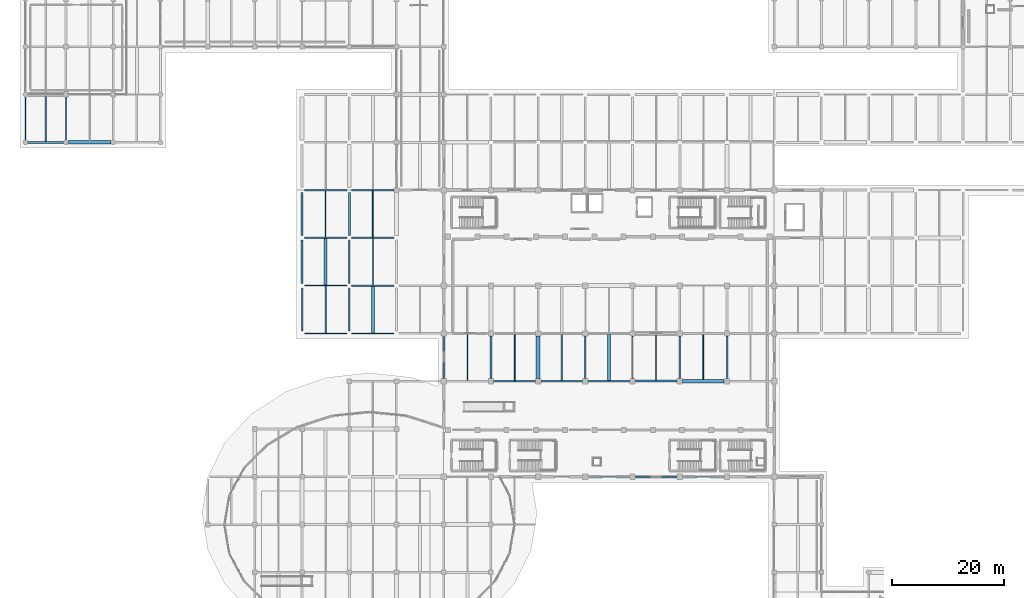
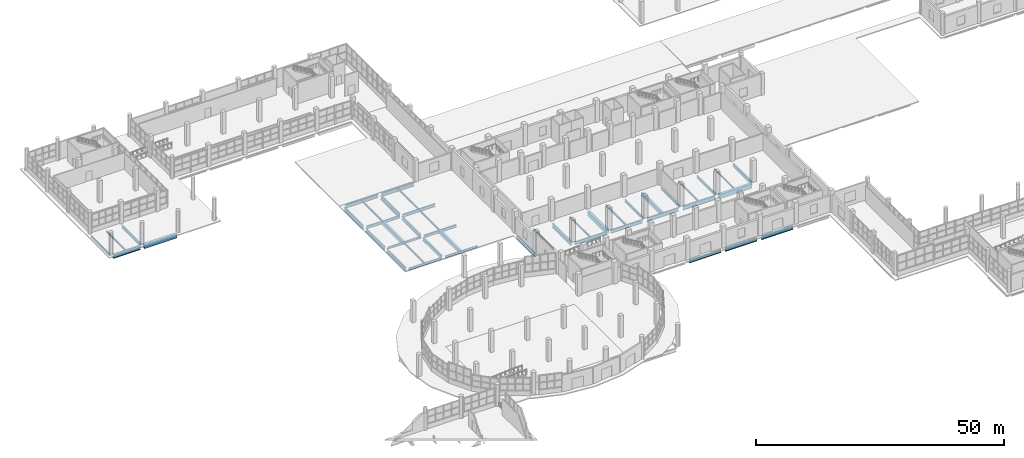
# One storey, part 18 of 107: 46 beams.
"""IFC4 building model written with IfcOpenShell, lengths in metres."""

from ifc_helpers import new_model, si_unit, direction, frame, origin, origin_2d, place, context, subcontext, project, spatial, rectangle, i_section, extrude, material, material_profile, profile_set, type_object, element, save


model = new_model("IFC4")

# Units and contexts
model_context = context("Model", 3, precision=1e-05, world=origin(), true_north=direction((0.0, 1.0)))
body_context = subcontext(model_context, "Body", "Model", "MODEL_VIEW")
ifc_project = project(units=[si_unit("LENGTHUNIT", "METRE"), si_unit("AREAUNIT", "SQUARE_METRE"), si_unit("VOLUMEUNIT", "CUBIC_METRE"), si_unit("PLANEANGLEUNIT", "RADIAN"), si_unit("MASSUNIT", "GRAM", prefix="KILO")], contexts=[model_context])

# Site, building, storey
site_placement = place(None, origin())
site = spatial("IfcSite", under=ifc_project, at=site_placement, CompositionType="ELEMENT")
building_placement = place(site_placement, origin())
building = spatial("IfcBuilding", under=site, at=building_placement, Name="Solvento Point Concert Hall", CompositionType="ELEMENT")
storey_placement = place(building_placement, origin())
storey = spatial("IfcBuildingStorey", under=building, at=storey_placement, Name="L00", CompositionType="ELEMENT", Elevation=0.0)

# Beams
ifc_material_1 = material(Name="Concrete C35/45", Category="concrete")
ifc_material_profile_1 = material_profile(ifc_material_1, rectangle(XDim=0.52001953125, YDim=0.840087890625, at=origin_2d()), Name="RC-BM-520X840")
ifc_profile_set_1 = profile_set([ifc_material_profile_1], Name="Concrete C35/45")
beam_type_1 = type_object("IfcBeamType", Name="Beam_RC_520x840", PredefinedType="BEAM", material=ifc_profile_set_1)
for number, where, z_axis, x_axis, name in (
    (1, (53.39990234375, 76.592041015625, -0.6640625), (0.0, 1.0, 0.0), (-1.0, 0.0, 0.0), "Secondary floor joist B-54 L00"),
    (2, (61.800048828125, 68.092041015625, -0.6640625), (0.0, 1.0, 0.0), (-1.0, 0.0, 0.0), "Secondary floor joist B-54 L00"),
):
    element("IfcBeam", number, at=place(storey_placement, frame(where, z_axis=z_axis, x_axis=x_axis)), inside=storey, type_object=beam_type_1, Name=name, PredefinedType="BEAM", context=body_context, shape_type="SweptSolid", body=[
        extrude(rectangle(XDim=0.52001953125, YDim=0.840087890625, at=origin_2d()), origin(), (0.0, 0.0, 1.0), 8.294921875),
    ])
beam_1_placement = place(storey_placement, frame((103.800048828125, 59.638916015625, -0.85400390625), z_axis=(0.0, 1.0, 0.0), x_axis=(-1.0, 0.0, 0.0)))
element("IfcBeam", 3, at=beam_1_placement, inside=storey, type_object=beam_type_1, Name="Secondary floor joist B-54 L00", PredefinedType="BEAM", context=body_context, shape_type="SweptSolid", body=[
    extrude(rectangle(XDim=0.52001953125, YDim=0.840087890625, at=origin_2d()), origin(), (0.0, 0.0, 1.0), 8.195556640625),
])
ifc_material_2 = material(Name="Structural Steel ASTM A992 Grade 50", Category="steel")
ifc_material_profile_2 = material_profile(ifc_material_2, i_section(OverallWidth=0.20947265625, OverallDepth=0.532958984375, WebThickness=0.01025390625, FlangeThickness=0.015625, at=origin_2d()), Name="W21X62")
ifc_profile_set_2 = profile_set([ifc_material_profile_2], Name="Structural Steel ASTM A992 Grade 50")
beam_type_2 = type_object("IfcBeamType", Name="Beam_W21X62", PredefinedType="BEAM", material=ifc_profile_set_2)
beam_2_placement = place(storey_placement, frame((53.39990234375, 68.09912109375, -0.510498046875), z_axis=(0.0, 1.0, 0.0), x_axis=(-1.0, 0.0, 0.0)))
element("IfcBeam", 4, at=beam_2_placement, inside=storey, type_object=beam_type_2, Name="Secondary floor joist B-25 L00", PredefinedType="BEAM", context=body_context, shape_type="SweptSolid", body=[
    extrude(i_section(OverallWidth=0.20947265625, OverallDepth=0.532958984375, WebThickness=0.01025390625, FlangeThickness=0.015625, at=origin_2d()), origin(), (0.0, 0.0, 1.0), 8.308837890625),
])
beam_3_placement = place(storey_placement, frame((95.39990234375, 59.631103515625, -0.700439453125), z_axis=(0.0, 1.0, 0.0), x_axis=(-1.0, 0.0, 0.0)))
element("IfcBeam", 5, at=beam_3_placement, inside=storey, type_object=beam_type_2, Name="Secondary floor joist B-25 L00", PredefinedType="BEAM", context=body_context, shape_type="SweptSolid", body=[
    extrude(i_section(OverallWidth=0.20947265625, OverallDepth=0.532958984375, WebThickness=0.01025390625, FlangeThickness=0.015625, at=origin_2d()), origin(), (0.0, 0.0, 1.0), 8.22998046875),
])
ifc_material_3 = material(Name="Structural Steel ASTM A992 Grade 50", Category="steel")
ifc_material_profile_3 = material_profile(ifc_material_3, i_section(OverallWidth=0.214111328125, OverallDepth=0.549072265625, WebThickness=0.0146484375, FlangeThickness=0.023681640625, at=origin_2d()), Name="W21X93")
ifc_profile_set_3 = profile_set([ifc_material_profile_3], Name="Structural Steel ASTM A992 Grade 50")
beam_type_3 = type_object("IfcBeamType", Name="Beam_W21X93", PredefinedType="BEAM", material=ifc_profile_set_3)
for number, where, z_axis, x_axis, name in (
    (6, (58.02392578125, 68.0, -0.5185546875), (1.0, 0.0, 0.0), (0.0, 1.0, 0.0), "Primary girder B-48 L00"),
    (7, (49.6240234375, 76.5, -0.5185546875), (1.0, 0.0, 0.0), (0.0, 1.0, 0.0), "Primary girder B-48 L00"),
):
    element("IfcBeam", number, at=place(storey_placement, frame(where, z_axis=z_axis, x_axis=x_axis)), inside=storey, type_object=beam_type_3, Name=name, PredefinedType="BEAM", context=body_context, shape_type="SweptSolid", body=[
        extrude(i_section(OverallWidth=0.214111328125, OverallDepth=0.549072265625, WebThickness=0.0146484375, FlangeThickness=0.023681640625, at=origin_2d()), origin(), (0.0, 0.0, 1.0), 7.552001953125),
    ])
beam_4_placement = place(storey_placement, frame((0.0, 102.424072265625, -0.5185546875), z_axis=(0.0, 1.0, 0.0), x_axis=(-1.0, 0.0, 0.0)))
element("IfcBeam", 8, at=beam_4_placement, inside=storey, type_object=beam_type_3, Name="Primary girder B-48 L00", PredefinedType="BEAM", context=body_context, shape_type="SweptSolid", body=[
    extrude(i_section(OverallWidth=0.214111328125, OverallDepth=0.549072265625, WebThickness=0.0146484375, FlangeThickness=0.023681640625, at=origin_2d()), origin(), (0.0, 0.0, 1.0), 7.65185546875),
])
beam_5_placement = place(storey_placement, frame((108.0, 59.993896484375, -0.70849609375), z_axis=(0.0, 1.0, 0.0), x_axis=(-1.0, 0.0, 0.0)))
element("IfcBeam", 9, at=beam_5_placement, inside=storey, type_object=beam_type_3, Name="Primary girder B-48 L00", PredefinedType="BEAM", context=body_context, shape_type="SweptSolid", body=[
    extrude(i_section(OverallWidth=0.214111328125, OverallDepth=0.549072265625, WebThickness=0.0146484375, FlangeThickness=0.023681640625, at=origin_2d()), origin(), (0.0, 0.0, 1.0), 7.51220703125),
])
ifc_material_4 = material(Name="Structural Steel ASTM A992 Grade 50", Category="steel")
ifc_material_profile_4 = material_profile(ifc_material_4, i_section(OverallWidth=0.228515625, OverallDepth=0.60791015625, WebThickness=0.01123046875, FlangeThickness=0.017333984375, at=origin_2d()), Name="W24X76")
ifc_profile_set_4 = profile_set([ifc_material_profile_4], Name="Structural Steel ASTM A992 Grade 50")
beam_type_4 = type_object("IfcBeamType", Name="Beam_W24X76", PredefinedType="BEAM", material=ifc_profile_set_4)
beam_6_placement = place(storey_placement, frame((49.6240234375, 68.0, -0.548095703125), z_axis=(1.0, 0.0, 0.0), x_axis=(0.0, 1.0, 0.0)))
element("IfcBeam", 10, at=beam_6_placement, inside=storey, type_object=beam_type_4, Name="Primary girder B-42 L00", PredefinedType="BEAM", context=body_context, shape_type="SweptSolid", body=[
    extrude(i_section(OverallWidth=0.228515625, OverallDepth=0.60791015625, WebThickness=0.01123046875, FlangeThickness=0.017333984375, at=origin_2d()), origin(), (0.0, 0.0, 1.0), 7.552001953125),
])
beam_7_placement = place(storey_placement, frame((99.60009765625, 59.993896484375, -0.738037109375), z_axis=(0.0, 1.0, 0.0), x_axis=(-1.0, 0.0, 0.0)))
element("IfcBeam", 11, at=beam_7_placement, inside=storey, type_object=beam_type_4, Name="Primary girder B-42 L00", PredefinedType="BEAM", context=body_context, shape_type="SweptSolid", body=[
    extrude(i_section(OverallWidth=0.228515625, OverallDepth=0.60791015625, WebThickness=0.01123046875, FlangeThickness=0.017333984375, at=origin_2d()), origin(), (0.0, 0.0, 1.0), 7.51220703125),
])
ifc_material_5 = material(Name="Concrete C35/45", Category="concrete")
ifc_material_profile_5 = material_profile(ifc_material_5, rectangle(XDim=0.64990234375, YDim=1.0, at=origin_2d()), Name="RC-BM-650X1000")
ifc_profile_set_5 = profile_set([ifc_material_profile_5], Name="Concrete C35/45")
beam_type_5 = type_object("IfcBeamType", Name="Girder_RC_650x1000", PredefinedType="USERDEFINED", material=ifc_profile_set_5)
beam_8_placement = place(storey_placement, frame((7.6240234375, 102.0, -0.743896484375), z_axis=(1.0, 0.0, 0.0), x_axis=(0.0, 1.0, 0.0)))
element("IfcBeam", 12, at=beam_8_placement, inside=storey, type_object=beam_type_5, Name="Primary girder B-67 L00", ObjectType="GIRDER", PredefinedType="USERDEFINED", context=body_context, shape_type="SweptSolid", body=[
    extrude(rectangle(XDim=0.64990234375, YDim=1.0, at=origin_2d()), origin(), (0.0, 0.0, 1.0), 7.552001953125),
])
ifc_material_6 = material(Name="Concrete C35/45", Category="concrete")
ifc_material_profile_6 = material_profile(ifc_material_6, rectangle(XDim=0.679931640625, YDim=1.050048828125, at=origin_2d()), Name="RC-BM-680X1050")
ifc_profile_set_6 = profile_set([ifc_material_profile_6], Name="Concrete C35/45")
beam_type_6 = type_object("IfcBeamType", Name="Girder_RC_680x1050", PredefinedType="USERDEFINED", material=ifc_profile_set_6)
beam_9_placement = place(storey_placement, frame((116.89404296875, 59.5, -0.958984375), z_axis=(1.0, 0.0, 0.0), x_axis=(0.0, 1.0, 0.0)))
element("IfcBeam", 13, at=beam_9_placement, inside=storey, type_object=beam_type_6, Name="Primary girder B-91 L00", ObjectType="GIRDER", PredefinedType="USERDEFINED", context=body_context, shape_type="SweptSolid", body=[
    extrude(rectangle(XDim=0.679931640625, YDim=1.050048828125, at=origin_2d()), origin(), (0.0, 0.0, 1.0), 7.411865234375),
])
beam_10_placement = place(storey_placement, frame((91.199951171875, 59.993896484375, -0.958984375), z_axis=(0.0, 1.0, 0.0), x_axis=(-1.0, 0.0, 0.0)))
element("IfcBeam", 14, at=beam_10_placement, inside=storey, type_object=beam_type_6, Name="Primary girder B-91 L00", ObjectType="GIRDER", PredefinedType="USERDEFINED", context=body_context, shape_type="SweptSolid", body=[
    extrude(rectangle(XDim=0.679931640625, YDim=1.050048828125, at=origin_2d()), origin(), (0.0, 0.0, 1.0), 7.51220703125),
])
ifc_material_7 = material(Name="Structural Steel ASTM A992 Grade 50", Category="steel")
ifc_material_profile_7 = material_profile(ifc_material_7, i_section(OverallWidth=0.256103515625, OverallDepth=0.693115234375, WebThickness=0.014404296875, FlangeThickness=0.023681640625, at=origin_2d()), Name="W27X114")
ifc_profile_set_7 = profile_set([ifc_material_profile_7], Name="Structural Steel ASTM A992 Grade 50")
beam_type_7 = type_object("IfcBeamType", Name="Girder_W27X114", PredefinedType="USERDEFINED", material=ifc_profile_set_7)
for number, where, z_axis, x_axis, name in (
    (15, (58.02392578125, 76.5, -0.590576171875), (1.0, 0.0, 0.0), (0.0, 1.0, 0.0), "Primary girder B-23 L00"),
    (16, (49.6240234375, 85.0, -0.590576171875), (1.0, 0.0, 0.0), (0.0, 1.0, 0.0), "Primary girder B-23 L00"),
):
    element("IfcBeam", number, at=place(storey_placement, frame(where, z_axis=z_axis, x_axis=x_axis)), inside=storey, type_object=beam_type_7, Name=name, ObjectType="GIRDER", PredefinedType="USERDEFINED", context=body_context, shape_type="SweptSolid", body=[
        extrude(i_section(OverallWidth=0.256103515625, OverallDepth=0.693115234375, WebThickness=0.014404296875, FlangeThickness=0.023681640625, at=origin_2d()), origin(), (0.0, 0.0, 1.0), 7.552001953125),
    ])
beam_11_placement = place(storey_placement, frame((7.199951171875, 102.424072265625, -0.590576171875), z_axis=(0.0, 1.0, 0.0), x_axis=(-1.0, 0.0, 0.0)))
element("IfcBeam", 17, at=beam_11_placement, inside=storey, type_object=beam_type_7, Name="Primary girder B-23 L00", ObjectType="GIRDER", PredefinedType="USERDEFINED", context=body_context, shape_type="SweptSolid", body=[
    extrude(i_section(OverallWidth=0.256103515625, OverallDepth=0.693115234375, WebThickness=0.014404296875, FlangeThickness=0.023681640625, at=origin_2d()), origin(), (0.0, 0.0, 1.0), 7.65185546875),
])
beam_12_placement = place(storey_placement, frame((116.39990234375, 59.993896484375, -0.780517578125), z_axis=(0.0, 1.0, 0.0), x_axis=(-1.0, 0.0, 0.0)))
element("IfcBeam", 18, at=beam_12_placement, inside=storey, type_object=beam_type_7, Name="Primary girder B-23 L00", ObjectType="GIRDER", PredefinedType="USERDEFINED", context=body_context, shape_type="SweptSolid", body=[
    extrude(i_section(OverallWidth=0.256103515625, OverallDepth=0.693115234375, WebThickness=0.014404296875, FlangeThickness=0.023681640625, at=origin_2d()), origin(), (0.0, 0.0, 1.0), 7.51220703125),
])
ifc_material_8 = material(Name="Structural Steel ASTM A992 Grade 50", Category="steel")
ifc_material_profile_8 = material_profile(ifc_material_8, i_section(OverallWidth=0.26806640625, OverallDepth=0.77001953125, WebThickness=0.015625, FlangeThickness=0.025390625, at=origin_2d()), Name="W30X132")
ifc_profile_set_8 = profile_set([ifc_material_profile_8], Name="Structural Steel ASTM A992 Grade 50")
beam_type_8 = type_object("IfcBeamType", Name="Girder_W30X132", PredefinedType="USERDEFINED", material=ifc_profile_set_8)
beam_13_placement = place(storey_placement, frame((100.118896484375, 42.5, -0.819091796875), z_axis=(1.0, 0.0, 0.0), x_axis=(0.0, 1.0, 0.0)))
element("IfcBeam", 19, at=beam_13_placement, inside=storey, type_object=beam_type_8, Name="Primary girder B-68 L00", ObjectType="GIRDER", PredefinedType="USERDEFINED", context=body_context, shape_type="SweptSolid", body=[
    extrude(i_section(OverallWidth=0.26806640625, OverallDepth=0.77001953125, WebThickness=0.015625, FlangeThickness=0.025390625, at=origin_2d()), origin(), (0.0, 0.0, 1.0), 7.362060546875),
])
beam_14_placement = place(storey_placement, frame((83.2939453125, 59.5, -0.819091796875), z_axis=(1.0, 0.0, 0.0), x_axis=(0.0, 1.0, 0.0)))
element("IfcBeam", 20, at=beam_14_placement, inside=storey, type_object=beam_type_8, Name="Primary girder B-68 L00", ObjectType="GIRDER", PredefinedType="USERDEFINED", context=body_context, shape_type="SweptSolid", body=[
    extrude(i_section(OverallWidth=0.26806640625, OverallDepth=0.77001953125, WebThickness=0.015625, FlangeThickness=0.025390625, at=origin_2d()), origin(), (0.0, 0.0, 1.0), 7.412109375),
])
for number, where, z_axis, x_axis, name in (
    (21, (58.02392578125, 85.0, -0.62890625), (1.0, 0.0, 0.0), (0.0, 1.0, 0.0), "Primary girder B-68 L00"),
    (22, (49.6240234375, 93.5, -0.62890625), (1.0, 0.0, 0.0), (0.0, 1.0, 0.0), "Primary girder B-68 L00"),
):
    element("IfcBeam", number, at=place(storey_placement, frame(where, z_axis=z_axis, x_axis=x_axis)), inside=storey, type_object=beam_type_8, Name=name, ObjectType="GIRDER", PredefinedType="USERDEFINED", context=body_context, shape_type="SweptSolid", body=[
        extrude(i_section(OverallWidth=0.26806640625, OverallDepth=0.77001953125, WebThickness=0.015625, FlangeThickness=0.025390625, at=origin_2d()), origin(), (0.0, 0.0, 1.0), 7.552001953125),
    ])
beam_15_placement = place(storey_placement, frame((49.199951171875, 68.424072265625, -0.62890625), z_axis=(0.0, 1.0, 0.0), x_axis=(-1.0, 0.0, 0.0)))
element("IfcBeam", 23, at=beam_15_placement, inside=storey, type_object=beam_type_8, Name="Primary girder B-68 L00", ObjectType="GIRDER", PredefinedType="USERDEFINED", context=body_context, shape_type="SweptSolid", body=[
    extrude(i_section(OverallWidth=0.26806640625, OverallDepth=0.77001953125, WebThickness=0.015625, FlangeThickness=0.025390625, at=origin_2d()), origin(), (0.0, 0.0, 1.0), 7.65185546875),
])
beam_16_placement = place(storey_placement, frame((124.800048828125, 59.993896484375, -0.819091796875), z_axis=(0.0, 1.0, 0.0), x_axis=(-1.0, 0.0, 0.0)))
element("IfcBeam", 24, at=beam_16_placement, inside=storey, type_object=beam_type_8, Name="Primary girder B-68 L00", ObjectType="GIRDER", PredefinedType="USERDEFINED", context=body_context, shape_type="SweptSolid", body=[
    extrude(i_section(OverallWidth=0.26806640625, OverallDepth=0.77001953125, WebThickness=0.015625, FlangeThickness=0.025390625, at=origin_2d()), origin(), (0.0, 0.0, 1.0), 7.51220703125),
])
ifc_material_9 = material(Name="Structural Steel ASTM A992 Grade 50", Category="steel")
ifc_material_profile_9 = material_profile(ifc_material_9, i_section(OverallWidth=0.2919921875, OverallDepth=0.85888671875, WebThickness=0.01708984375, FlangeThickness=0.031005859375, at=origin_2d()), Name="W33X169")
ifc_profile_set_9 = profile_set([ifc_material_profile_9], Name="Structural Steel ASTM A992 Grade 50")
beam_type_9 = type_object("IfcBeamType", Name="Girder_W33X169", PredefinedType="USERDEFINED", material=ifc_profile_set_9)
beam_17_placement = place(storey_placement, frame((108.51904296875, 42.5, -0.863525390625), z_axis=(1.0, 0.0, 0.0), x_axis=(0.0, 1.0, 0.0)))
element("IfcBeam", 25, at=beam_17_placement, inside=storey, type_object=beam_type_9, Name="Primary girder B-33 L00", ObjectType="GIRDER", PredefinedType="USERDEFINED", context=body_context, shape_type="SweptSolid", body=[
    extrude(i_section(OverallWidth=0.2919921875, OverallDepth=0.85888671875, WebThickness=0.01708984375, FlangeThickness=0.031005859375, at=origin_2d()), origin(), (0.0, 0.0, 1.0), 7.362060546875),
])
beam_18_placement = place(storey_placement, frame((91.694091796875, 59.5, -0.863525390625), z_axis=(1.0, 0.0, 0.0), x_axis=(0.0, 1.0, 0.0)))
element("IfcBeam", 26, at=beam_18_placement, inside=storey, type_object=beam_type_9, Name="Primary girder B-33 L00", ObjectType="GIRDER", PredefinedType="USERDEFINED", context=body_context, shape_type="SweptSolid", body=[
    extrude(i_section(OverallWidth=0.2919921875, OverallDepth=0.85888671875, WebThickness=0.01708984375, FlangeThickness=0.031005859375, at=origin_2d()), origin(), (0.0, 0.0, 1.0), 7.411865234375),
])
beam_19_placement = place(storey_placement, frame((58.02392578125, 93.5, -0.673583984375), z_axis=(1.0, 0.0, 0.0), x_axis=(0.0, 1.0, 0.0)))
element("IfcBeam", 27, at=beam_19_placement, inside=storey, type_object=beam_type_9, Name="Primary girder B-33 L00", ObjectType="GIRDER", PredefinedType="USERDEFINED", context=body_context, shape_type="SweptSolid", body=[
    extrude(i_section(OverallWidth=0.2919921875, OverallDepth=0.85888671875, WebThickness=0.01708984375, FlangeThickness=0.031005859375, at=origin_2d()), origin(), (0.0, 0.0, 1.0), 7.552001953125),
])
for number, where, z_axis, x_axis, name in (
    (28, (49.199951171875, 76.924072265625, -0.673583984375), (0.0, 1.0, 0.0), (-1.0, 0.0, 0.0), "Primary girder B-33 L00"),
    (29, (57.60009765625, 68.424072265625, -0.673583984375), (0.0, 1.0, 0.0), (-1.0, 0.0, 0.0), "Primary girder B-33 L00"),
):
    element("IfcBeam", number, at=place(storey_placement, frame(where, z_axis=z_axis, x_axis=x_axis)), inside=storey, type_object=beam_type_9, Name=name, ObjectType="GIRDER", PredefinedType="USERDEFINED", context=body_context, shape_type="SweptSolid", body=[
        extrude(i_section(OverallWidth=0.2919921875, OverallDepth=0.85888671875, WebThickness=0.01708984375, FlangeThickness=0.031005859375, at=origin_2d()), origin(), (0.0, 0.0, 1.0), 7.65185546875),
    ])
ifc_material_10 = material(Name="Structural Steel ASTM A992 Grade 50", Category="steel")
ifc_material_profile_10 = material_profile(ifc_material_10, i_section(OverallWidth=0.3076171875, OverallDepth=0.927001953125, WebThickness=0.019287109375, FlangeThickness=0.031982421875, at=origin_2d()), Name="W36X194")
ifc_profile_set_10 = profile_set([ifc_material_profile_10], Name="Structural Steel ASTM A992 Grade 50")
beam_type_10 = type_object("IfcBeamType", Name="Girder_W36X194", PredefinedType="USERDEFINED", material=ifc_profile_set_10)
beam_20_placement = place(storey_placement, frame((116.9189453125, 42.5, -0.8974609375), z_axis=(1.0, 0.0, 0.0), x_axis=(0.0, 1.0, 0.0)))
element("IfcBeam", 30, at=beam_20_placement, inside=storey, type_object=beam_type_10, Name="Primary girder B-61 L00", ObjectType="GIRDER", PredefinedType="USERDEFINED", context=body_context, shape_type="SweptSolid", body=[
    extrude(i_section(OverallWidth=0.3076171875, OverallDepth=0.927001953125, WebThickness=0.019287109375, FlangeThickness=0.031982421875, at=origin_2d()), origin(), (0.0, 0.0, 1.0), 7.362060546875),
])
beam_21_placement = place(storey_placement, frame((100.093994140625, 59.5, -0.8974609375), z_axis=(1.0, 0.0, 0.0), x_axis=(0.0, 1.0, 0.0)))
element("IfcBeam", 31, at=beam_21_placement, inside=storey, type_object=beam_type_10, Name="Primary girder B-61 L00", ObjectType="GIRDER", PredefinedType="USERDEFINED", context=body_context, shape_type="SweptSolid", body=[
    extrude(i_section(OverallWidth=0.3076171875, OverallDepth=0.927001953125, WebThickness=0.019287109375, FlangeThickness=0.031982421875, at=origin_2d()), origin(), (0.0, 0.0, 1.0), 7.412109375),
])
for number, where, z_axis, x_axis, name in (
    (32, (49.199951171875, 85.424072265625, -0.70751953125), (0.0, 1.0, 0.0), (-1.0, 0.0, 0.0), "Primary girder B-61 L00"),
    (33, (57.60009765625, 76.924072265625, -0.70751953125), (0.0, 1.0, 0.0), (-1.0, 0.0, 0.0), "Primary girder B-61 L00"),
):
    element("IfcBeam", number, at=place(storey_placement, frame(where, z_axis=z_axis, x_axis=x_axis)), inside=storey, type_object=beam_type_10, Name=name, ObjectType="GIRDER", PredefinedType="USERDEFINED", context=body_context, shape_type="SweptSolid", body=[
        extrude(i_section(OverallWidth=0.3076171875, OverallDepth=0.927001953125, WebThickness=0.019287109375, FlangeThickness=0.031982421875, at=origin_2d()), origin(), (0.0, 0.0, 1.0), 7.65185546875),
    ])
beam_22_placement = place(storey_placement, frame((74.39990234375, 60.01904296875, -0.8974609375), z_axis=(0.0, 1.0, 0.0), x_axis=(-1.0, 0.0, 0.0)))
element("IfcBeam", 34, at=beam_22_placement, inside=storey, type_object=beam_type_10, Name="Primary girder B-61 L00", ObjectType="GIRDER", PredefinedType="USERDEFINED", context=body_context, shape_type="SweptSolid", body=[
    extrude(i_section(OverallWidth=0.3076171875, OverallDepth=0.927001953125, WebThickness=0.019287109375, FlangeThickness=0.031982421875, at=origin_2d()), origin(), (0.0, 0.0, 1.0), 7.4619140625),
])
ifc_material_11 = material(Name="Structural Steel ASTM A992 Grade 50", Category="steel")
ifc_material_profile_11 = material_profile(ifc_material_11, i_section(OverallWidth=0.361083984375, OverallDepth=1.02587890625, WebThickness=0.01904296875, FlangeThickness=0.0361328125, at=origin_2d()), Name="W40X249")
ifc_profile_set_11 = profile_set([ifc_material_profile_11], Name="Structural Steel ASTM A992 Grade 50")
beam_type_11 = type_object("IfcBeamType", Name="Girder_W40X249", PredefinedType="USERDEFINED", material=ifc_profile_set_11)
beam_23_placement = place(storey_placement, frame((108.493896484375, 59.5, -0.947021484375), z_axis=(1.0, 0.0, 0.0), x_axis=(0.0, 1.0, 0.0)))
element("IfcBeam", 35, at=beam_23_placement, inside=storey, type_object=beam_type_11, Name="Primary girder B-29 L00", ObjectType="GIRDER", PredefinedType="USERDEFINED", context=body_context, shape_type="SweptSolid", body=[
    extrude(i_section(OverallWidth=0.361083984375, OverallDepth=1.02587890625, WebThickness=0.01904296875, FlangeThickness=0.0361328125, at=origin_2d()), origin(), (0.0, 0.0, 1.0), 7.412109375),
])
beam_24_placement = place(storey_placement, frame((0.424072265625, 102.0, -0.757080078125), z_axis=(1.0, 0.0, 0.0), x_axis=(0.0, 1.0, 0.0)))
element("IfcBeam", 36, at=beam_24_placement, inside=storey, type_object=beam_type_11, Name="Primary girder B-29 L00", ObjectType="GIRDER", PredefinedType="USERDEFINED", context=body_context, shape_type="SweptSolid", body=[
    extrude(i_section(OverallWidth=0.361083984375, OverallDepth=1.02587890625, WebThickness=0.01904296875, FlangeThickness=0.0361328125, at=origin_2d()), origin(), (0.0, 0.0, 1.0), 6.351806640625),
])
beam_25_placement = place(storey_placement, frame((57.60009765625, 85.424072265625, -0.757080078125), z_axis=(0.0, 1.0, 0.0), x_axis=(-1.0, 0.0, 0.0)))
element("IfcBeam", 37, at=beam_25_placement, inside=storey, type_object=beam_type_11, Name="Primary girder B-29 L00", ObjectType="GIRDER", PredefinedType="USERDEFINED", context=body_context, shape_type="SweptSolid", body=[
    extrude(i_section(OverallWidth=0.361083984375, OverallDepth=1.02587890625, WebThickness=0.01904296875, FlangeThickness=0.0361328125, at=origin_2d()), origin(), (0.0, 0.0, 1.0), 7.65185546875),
])
beam_26_placement = place(storey_placement, frame((82.800048828125, 59.993896484375, -0.947021484375), z_axis=(0.0, 1.0, 0.0), x_axis=(-1.0, 0.0, 0.0)))
element("IfcBeam", 38, at=beam_26_placement, inside=storey, type_object=beam_type_11, Name="Primary girder B-29 L00", ObjectType="GIRDER", PredefinedType="USERDEFINED", context=body_context, shape_type="SweptSolid", body=[
    extrude(i_section(OverallWidth=0.361083984375, OverallDepth=1.02587890625, WebThickness=0.01904296875, FlangeThickness=0.0361328125, at=origin_2d()), origin(), (0.0, 0.0, 1.0), 7.51220703125),
])
ifc_material_12 = material(Name="Structural Steel ASTM A992 Grade 50", Category="steel")
ifc_material_profile_12 = material_profile(ifc_material_12, i_section(OverallWidth=0.177490234375, OverallDepth=0.403076171875, WebThickness=0.007568359375, FlangeThickness=0.010986328125, at=origin_2d()), Name="W16X36")
ifc_profile_set_12 = profile_set([ifc_material_profile_12], Name="Structural Steel ASTM A992 Grade 50")
beam_type_12 = type_object("IfcBeamType", Name="Joist_W16X36", PredefinedType="JOIST", material=ifc_profile_set_12)
for number, where, z_axis, x_axis, name in (
    (39, (61.800048828125, 85.118896484375, -0.445556640625), (0.0, 1.0, 0.0), (-1.0, 0.0, 0.0), "Secondary floor joist B-30 L00"),
    (40, (87.0, 59.618896484375, -0.635498046875), (0.0, 1.0, 0.0), (-1.0, 0.0, 0.0), "Secondary floor joist B-30 L00"),
):
    element("IfcBeam", number, at=place(storey_placement, frame(where, z_axis=z_axis, x_axis=x_axis)), inside=storey, type_object=beam_type_12, Name=name, PredefinedType="JOIST", context=body_context, shape_type="SweptSolid", body=[
        extrude(i_section(OverallWidth=0.177490234375, OverallDepth=0.403076171875, WebThickness=0.007568359375, FlangeThickness=0.010986328125, at=origin_2d()), origin(), (0.0, 0.0, 1.0), 8.25),
    ])
beam_27_placement = place(storey_placement, frame((120.60009765625, 59.824951171875, -0.635498046875), z_axis=(0.0, 1.0, 0.0), x_axis=(-1.0, 0.0, 0.0)))
element("IfcBeam", 41, at=beam_27_placement, inside=storey, type_object=beam_type_12, Name="Secondary floor joist B-30 L00", PredefinedType="JOIST", context=body_context, shape_type="SweptSolid", body=[
    extrude(i_section(OverallWidth=0.177490234375, OverallDepth=0.403076171875, WebThickness=0.007568359375, FlangeThickness=0.010986328125, at=origin_2d()), origin(), (0.0, 0.0, 1.0), 8.075927734375),
])
ifc_material_13 = material(Name="Structural Steel ASTM A992 Grade 50", Category="steel")
ifc_material_profile_13 = material_profile(ifc_material_13, i_section(OverallWidth=0.1904296875, OverallDepth=0.45703125, WebThickness=0.009033203125, FlangeThickness=0.014404296875, at=origin_2d()), Name="W18X50")
ifc_profile_set_13 = profile_set([ifc_material_profile_13], Name="Structural Steel ASTM A992 Grade 50")
beam_type_13 = type_object("IfcBeamType", Name="Joist_W18X50", PredefinedType="JOIST", material=ifc_profile_set_13)
beam_28_placement = place(storey_placement, frame((3.60009765625, 102.16552734375, -0.642578125), z_axis=(0.0, 1.0, 0.0), x_axis=(-1.0, 0.0, 0.0)))
element("IfcBeam", 42, at=beam_28_placement, inside=storey, type_object=beam_type_13, Name="Secondary floor joist B-66 L00", PredefinedType="JOIST", context=body_context, shape_type="SweptSolid", body=[
    extrude(i_section(OverallWidth=0.1904296875, OverallDepth=0.45703125, WebThickness=0.009033203125, FlangeThickness=0.014404296875, at=origin_2d()), origin(), (0.0, 0.0, 1.0), 8.0244140625),
])
for number, where, z_axis, x_axis, name in (
    (43, (53.39990234375, 85.113037109375, -0.472412109375), (0.0, 1.0, 0.0), (-1.0, 0.0, 0.0), "Secondary floor joist B-66 L00"),
    (44, (61.800048828125, 76.613037109375, -0.472412109375), (0.0, 1.0, 0.0), (-1.0, 0.0, 0.0), "Secondary floor joist B-66 L00"),
    (45, (78.60009765625, 59.613037109375, -0.66259765625), (0.0, 1.0, 0.0), (-1.0, 0.0, 0.0), "Secondary floor joist B-66 L00"),
):
    element("IfcBeam", number, at=place(storey_placement, frame(where, z_axis=z_axis, x_axis=x_axis)), inside=storey, type_object=beam_type_13, Name=name, PredefinedType="JOIST", context=body_context, shape_type="SweptSolid", body=[
        extrude(i_section(OverallWidth=0.1904296875, OverallDepth=0.45703125, WebThickness=0.009033203125, FlangeThickness=0.014404296875, at=origin_2d()), origin(), (0.0, 0.0, 1.0), 8.26806640625),
    ])
beam_29_placement = place(storey_placement, frame((112.199951171875, 59.66552734375, -0.66259765625), z_axis=(0.0, 1.0, 0.0), x_axis=(-1.0, 0.0, 0.0)))
element("IfcBeam", 46, at=beam_29_placement, inside=storey, type_object=beam_type_13, Name="Secondary floor joist B-66 L00", PredefinedType="JOIST", context=body_context, shape_type="SweptSolid", body=[
    extrude(i_section(OverallWidth=0.1904296875, OverallDepth=0.45703125, WebThickness=0.009033203125, FlangeThickness=0.014404296875, at=origin_2d()), origin(), (0.0, 0.0, 1.0), 8.009521484375),
])

save(model, "model.ifc")
